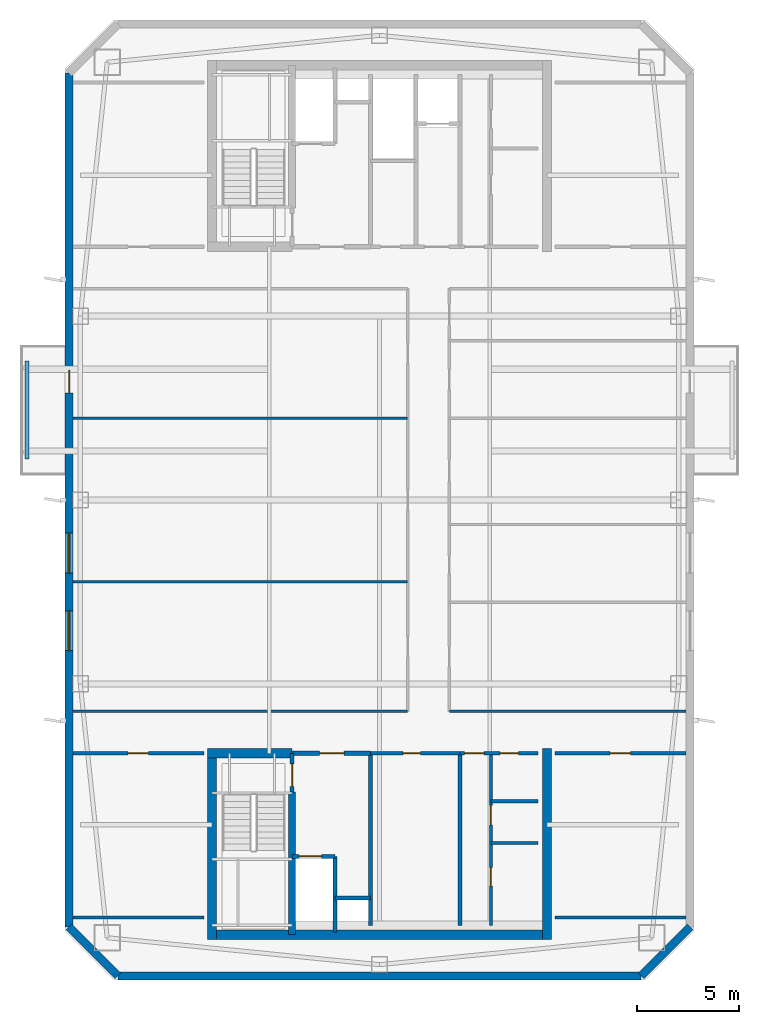
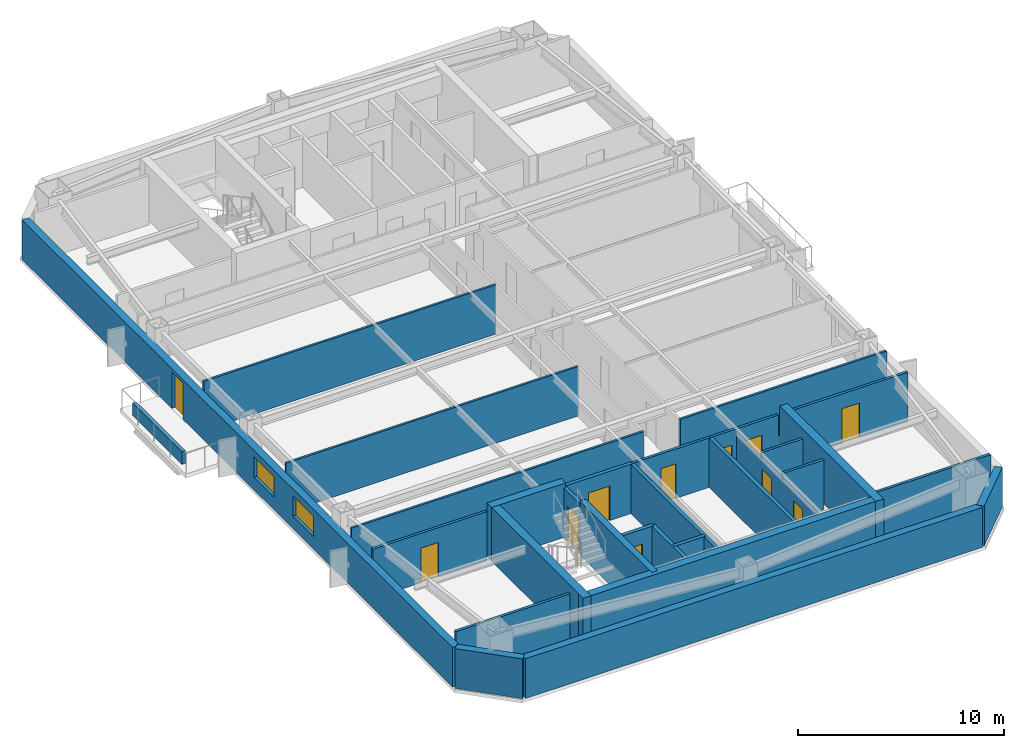
# One storey, part 2 of 7: 30 walls, 11 doors, 2 windows, 13 openings.
"""IFC4 building model written with IfcOpenShell, lengths in metres."""

from ifc_helpers import new_model, si_unit, direction, frame, frame_2d, origin, place, context, subcontext, project, spatial, rectangle, extrude, material, layer, layer_set, type_object, element, fill, save


model = new_model("IFC4")

# Units and contexts
model_context = context("Model", 3, precision=1e-05, world=origin(), true_north=direction((0.0, 1.0)))
body_context = subcontext(model_context, "Body", "Model", "MODEL_VIEW")
ifc_project = project(units=[si_unit("LENGTHUNIT", "METRE"), si_unit("AREAUNIT", "SQUARE_METRE"), si_unit("VOLUMEUNIT", "CUBIC_METRE"), si_unit("PLANEANGLEUNIT", "RADIAN"), si_unit("MASSUNIT", "GRAM", prefix="KILO")], contexts=[model_context])

# Site, building, storey
site_placement = place(None, origin())
site = spatial("IfcSite", under=ifc_project, at=site_placement, CompositionType="ELEMENT")
building_placement = place(site_placement, origin())
building = spatial("IfcBuilding", under=site, at=building_placement, Name="Qiaolan Cultural Towers", CompositionType="ELEMENT")
storey_placement = place(building_placement, frame((0.0, 0.0, 266.39990234375)))
storey = spatial("IfcBuildingStorey", under=building, at=storey_placement, Name="L73", CompositionType="ELEMENT", Elevation=266.39990234375)

# Walls
ifc_material_1 = material(Name="Concrete C50", Category="concrete")
ifc_layer_1 = layer(ifc_material_1, 0.35009765625)
ifc_layer_set_1 = layer_set([ifc_layer_1], Name="Concrete C50")
wall_type_1 = type_object("IfcWallType", Name="WL-CORE-350", PredefinedType="SHEAR", material=ifc_layer_set_1)
wall_1_placement = place(storey_placement, frame((25.719970703125, 19.699951171875, 0.0), z_axis=(0.0, 0.0, 1.0), x_axis=(0.0, -1.0, 0.0)))
element("IfcWall", 1, at=wall_1_placement, inside=storey, type_object=wall_type_1, Name="L73 T1-CS Stair Core Dividing Web", PredefinedType="SHEAR", context=body_context, shape_type="SweptSolid", body=[
    extrude(rectangle(XDim=6.97998046875, YDim=0.35009765625, at=frame_2d((3.489990234375, 0.0))), origin(), (0.0, 0.0, 1.0), 3.2001953125),
])
ifc_material_2 = material(Name="Concrete C50", Category="concrete")
ifc_layer_2 = layer(ifc_material_2, 0.449951171875)
ifc_layer_set_2 = layer_set([ifc_layer_2], Name="Concrete C50")
wall_type_2 = type_object("IfcWallType", Name="WL-CORE-450", PredefinedType="SHEAR", material=ifc_layer_set_2)
wall_2_placement = place(storey_placement, frame((21.574951171875, 12.719970703125, 0.0), z_axis=(0.0, 0.0, 1.0), x_axis=(1.0, 0.0, 0.0)))
element("IfcWall", 2, at=wall_2_placement, inside=storey, type_object=wall_type_2, Name="L73 T1-CS Outer Core Shear Wall", PredefinedType="SHEAR", context=body_context, shape_type="SweptSolid", body=[
    extrude(rectangle(XDim=16.85009765625, YDim=0.449951171875, at=frame_2d((8.425048828125, 0.0))), origin(), (0.0, 0.0, 1.0), 3.2001953125),
])
for number, where, z_axis, x_axis, name in (
    (3, (21.800048828125, 21.824951171875, 0.0), (0.0, 0.0, 1.0), (0.0, -1.0, 0.0), "L73 T1-CS West Core Shear Wall"),
    (4, (38.199951171875, 21.824951171875, 0.0), (0.0, 0.0, 1.0), (0.0, -1.0, 0.0), "L73 T1-CS East Core Shear Wall"),
):
    element("IfcWall", number, at=place(storey_placement, frame(where, z_axis=z_axis, x_axis=x_axis)), inside=storey, type_object=wall_type_2, Name=name, PredefinedType="SHEAR", context=body_context, shape_type="SweptSolid", body=[
        extrude(rectangle(XDim=9.329833984375, YDim=0.449951171875, at=frame_2d((4.6650390625, 0.0))), origin(), (0.0, 0.0, 1.0), 3.2001953125),
    ])
wall_3_placement = place(storey_placement, frame((21.574951171875, 21.60009765625, 0.0), z_axis=(0.0, 0.0, 1.0), x_axis=(1.0, 0.0, 0.0)))
element("IfcWall", 5, at=wall_3_placement, inside=storey, type_object=wall_type_2, Name="L73 T1-CS Stair Front Shear Wall", PredefinedType="SHEAR", context=body_context, shape_type="SweptSolid", body=[
    extrude(rectangle(XDim=4.14501953125, YDim=0.449951171875, at=frame_2d((2.072509765625, 0.0))), origin(), (0.0, 0.0, 1.0), 3.2001953125),
])

# Wall, openings, door, windows
ifc_material_3 = material(Name="Precast Concrete C50 Honed Stone Pier", Category="masonry")
ifc_layer_3 = layer(ifc_material_3, 0.39990234375)
ifc_layer_set_3 = layer_set([ifc_layer_3], Name="Precast Concrete C50 Honed Stone Pier")
wall_type_3 = type_object("IfcWallType", Name="WL-EXT-PIER-400", PredefinedType="SOLIDWALL", material=ifc_layer_set_3)
wall_4_placement = place(storey_placement, frame((14.800048828125, 13.10009765625, 0.0), z_axis=(0.0, 0.0, 1.0), x_axis=(0.0, 1.0, 0.0)))
wall_4 = element("IfcWall", 6, at=wall_4_placement, inside=storey, type_object=wall_type_3, Name="L73 West Tower Precast Pier Facade Wall F1", PredefinedType="SOLIDWALL", context=body_context, shape_type="SweptSolid", body=[
    extrude(rectangle(XDim=41.7998046875, YDim=0.39990234375, at=frame_2d((20.89990234375, 0.0))), origin(), (0.0, 0.0, 1.0), 2.360107421875),
])
opening_1_placement = place(wall_4_placement, frame((13.52490234375, 0.0, 0.75)))
opening_1 = element("IfcOpeningElement", 7, at=opening_1_placement, cuts=wall_4, Name="Opening W-06", PredefinedType="OPENING", context=body_context, shape_type="SweptSolid", body=[
    extrude(rectangle(XDim=1.949951171875, YDim=1.2099609375, at=frame_2d((0.97509765625, 0.60498046875))), frame((0.0, 0.2099609375, 0.0), z_axis=(0.0, -1.0, 0.0), x_axis=(1.0, 0.0, 0.0)), (0.0, 0.0, 1.0), 0.419921875),
])
opening_2_placement = place(wall_4_placement, frame((17.324951171875, 0.0, 0.75)))
opening_2 = element("IfcOpeningElement", 8, at=opening_2_placement, cuts=wall_4, Name="Opening W-06", PredefinedType="OPENING", context=body_context, shape_type="SweptSolid", body=[
    extrude(rectangle(XDim=1.949951171875, YDim=1.2099609375, at=frame_2d((0.97509765625, 0.60498046875))), frame((0.0, 0.2099609375, 0.0), z_axis=(0.0, -1.0, 0.0), x_axis=(1.0, 0.0, 0.0)), (0.0, 0.0, 1.0), 0.419921875),
])
opening_3_placement = place(wall_4_placement, frame((26.14990234375, 0.0, 0.0)))
opening_3 = element("IfcOpeningElement", 9, at=opening_3_placement, cuts=wall_4, Name="Opening BD-01", PredefinedType="OPENING", context=body_context, shape_type="SweptSolid", body=[
    extrude(rectangle(XDim=1.10009765625, YDim=2.14990234375, at=frame_2d((0.550048828125, 1.074951171875))), frame((0.0, 0.2099609375, 0.0), z_axis=(0.0, -1.0, 0.0), x_axis=(1.0, 0.0, 0.0)), (0.0, 0.0, 1.0), 0.419921875),
])
ifc_material_4 = material(Name="Thermally Broken Aluminium Glazed Terrace Door", Category="aluminium")
door_type_1 = type_object("IfcDoorType", Name="DR-BAL-1100", OperationType="NOTDEFINED", PredefinedType="DOOR", material=ifc_material_4)
door_1_placement = place(opening_3_placement, origin())
door_1 = element("IfcDoor", 10, at=door_1_placement, inside=storey, type_object=door_type_1, Name="L73 T1 West Tree Balcony Door", OperationType="SINGLE_SWING_LEFT", OverallHeight=2.14990234375, OverallWidth=1.10009765625, PredefinedType="DOOR", context=body_context, shape_type="SweptSolid", body=[
    extrude(rectangle(XDim=1.10009765625, YDim=2.14990234375, at=frame_2d((0.550048828125, 1.074951171875))), frame((0.0, 0.02490234375, 0.0), z_axis=(0.0, -1.0, 0.0), x_axis=(1.0, 0.0, 0.0)), (0.0, 0.0, 1.0), 0.050048828125),
])
fill(opening_3, door_1)
ifc_material_5 = material(Name="Thermally Broken Aluminium Triple Low-E Glazing", Category="aluminium")
window_type = type_object("IfcWindowType", Name="WN-CHIC-1950", PartitioningType="SINGLE_PANEL", PredefinedType="WINDOW", material=ifc_material_5)
window_1_placement = place(opening_1_placement, origin())
window_1 = element("IfcWindow", 11, at=window_1_placement, inside=storey, type_object=window_type, Name="L73 T1 W Chicago Bay Window 1", OverallHeight=1.2099609375, OverallWidth=1.949951171875, PartitioningType="TRIPLE_PANEL_VERTICAL", PredefinedType="WINDOW", context=body_context, shape_type="SweptSolid", body=[
    extrude(rectangle(XDim=1.949951171875, YDim=1.2099609375, at=frame_2d((0.97509765625, 0.60498046875))), frame((0.0, 0.030029296875, 0.0), z_axis=(0.0, -1.0, 0.0), x_axis=(1.0, 0.0, 0.0)), (0.0, 0.0, 1.0), 0.06005859375),
])
fill(opening_1, window_1)
window_2_placement = place(opening_2_placement, origin())
window_2 = element("IfcWindow", 12, at=window_2_placement, inside=storey, type_object=window_type, Name="L73 T1 W Chicago Bay Window 2", OverallHeight=1.2099609375, OverallWidth=1.949951171875, PartitioningType="TRIPLE_PANEL_VERTICAL", PredefinedType="WINDOW", context=body_context, shape_type="SweptSolid", body=[
    extrude(rectangle(XDim=1.949951171875, YDim=1.2099609375, at=frame_2d((0.97509765625, 0.60498046875))), frame((0.0, 0.030029296875, 0.0), z_axis=(0.0, -1.0, 0.0), x_axis=(1.0, 0.0, 0.0)), (0.0, 0.0, 1.0), 0.06005859375),
])
fill(opening_2, window_2)

# Walls
wall_5_placement = place(storey_placement, frame((45.199951171875, 13.10009765625, 0.0), z_axis=(0.0, 0.0, 1.0), x_axis=(-0.707070815327, -0.707142745217, 0.0)))
element("IfcWall", 13, at=wall_5_placement, inside=storey, type_object=wall_type_3, Name="L73 West Tower Precast Pier Facade Wall F6", PredefinedType="SOLIDWALL", context=body_context, shape_type="SweptSolid", body=[
    extrude(rectangle(XDim=3.39404296875, YDim=0.39990234375, at=frame_2d((1.697021484375, 0.0))), origin(), (0.0, 0.0, 1.0), 2.360107421875),
])
wall_6_placement = place(storey_placement, frame((42.800048828125, 10.699951171875, 0.0), z_axis=(0.0, 0.0, 1.0), x_axis=(-1.0, 0.0, 0.0)))
element("IfcWall", 14, at=wall_6_placement, inside=storey, type_object=wall_type_3, Name="L73 West Tower Precast Pier Facade Wall F7", PredefinedType="SOLIDWALL", context=body_context, shape_type="SweptSolid", body=[
    extrude(rectangle(XDim=25.60009765625, YDim=0.39990234375, at=frame_2d((12.800048828125, 0.0))), origin(), (0.0, 0.0, 1.0), 2.360107421875),
])
wall_7_placement = place(storey_placement, frame((17.199951171875, 10.699951171875, 0.0), z_axis=(0.0, 0.0, 1.0), x_axis=(-0.707070815327, 0.707142745217, 0.0)))
element("IfcWall", 15, at=wall_7_placement, inside=storey, type_object=wall_type_3, Name="L73 West Tower Precast Pier Facade Wall F8", PredefinedType="SOLIDWALL", context=body_context, shape_type="SweptSolid", body=[
    extrude(rectangle(XDim=3.39404296875, YDim=0.39990234375, at=frame_2d((1.697021484375, 0.0))), origin(), (0.0, 0.0, 1.0), 2.360107421875),
])

# Wall, opening, door
ifc_material_6 = material(Name="Concrete C35 Fire Wall", Category="concrete")
ifc_layer_4 = layer(ifc_material_6, 0.199951171875)
ifc_layer_set_4 = layer_set([ifc_layer_4], Name="Concrete C35 Fire Wall")
wall_type_4 = type_object("IfcWallType", Name="WL-FIRE-200", PredefinedType="PARTITIONING", material=ifc_layer_set_4)
wall_8_placement = place(storey_placement, frame((25.719970703125, 21.60009765625, 0.0), z_axis=(0.0, 0.0, 1.0), x_axis=(0.0, -1.0, 0.0)))
wall_8 = element("IfcWall", 16, at=wall_8_placement, inside=storey, type_object=wall_type_4, Name="L73 T1-CS Smokeproof Stair Entry Wall", PredefinedType="PARTITIONING", context=body_context, shape_type="SweptSolid", body=[
    extrude(rectangle(XDim=1.900146484375, YDim=0.199951171875, at=frame_2d((0.9501953125, 0.0))), origin(), (0.0, 0.0, 1.0), 2.925048828125),
])
opening_4_placement = place(wall_8_placement, frame((0.52001953125, 0.0, 0.0)))
opening_4 = element("IfcOpeningElement", 17, at=opening_4_placement, cuts=wall_8, Name="Opening FD-04", PredefinedType="OPENING", context=body_context, shape_type="SweptSolid", body=[
    extrude(rectangle(XDim=1.10009765625, YDim=2.050048828125, at=frame_2d((0.550048828125, 1.02490234375))), frame((0.0, 0.10986328125, 0.0), z_axis=(0.0, -1.0, 0.0), x_axis=(1.0, 0.0, 0.0)), (0.0, 0.0, 1.0), 0.219970703125),
])
ifc_material_7 = material(Name="Galvanized Steel Command Fire Door", Category="steel")
door_type_2 = type_object("IfcDoorType", Name="DR-FD90-1100", OperationType="NOTDEFINED", PredefinedType="DOOR", material=ifc_material_7)
door_2_placement = place(opening_4_placement, origin())
door_2 = element("IfcDoor", 18, at=door_2_placement, inside=storey, type_object=door_type_2, Name="L73 ST-W1 Smokeproof Stair Fire Door", OperationType="SINGLE_SWING_LEFT", OverallHeight=2.050048828125, OverallWidth=1.10009765625, PredefinedType="DOOR", context=body_context, shape_type="SweptSolid", body=[
    extrude(rectangle(XDim=1.10009765625, YDim=2.050048828125, at=frame_2d((0.550048828125, 1.02490234375))), frame((0.0, 0.02490234375, 0.0), z_axis=(0.0, -1.0, 0.0), x_axis=(1.0, 0.0, 0.0)), (0.0, 0.0, 1.0), 0.050048828125),
])
fill(opening_4, door_2)

# Wall
wall_9_placement = place(storey_placement, frame((29.550048828125, 21.60009765625, 0.0), z_axis=(0.0, 0.0, 1.0), x_axis=(0.0, -1.0, 0.0)))
element("IfcWall", 19, at=wall_9_placement, inside=storey, type_object=wall_type_4, Name="L73 T1-CS Firefighting Zone Wall", PredefinedType="PARTITIONING", context=body_context, shape_type="SweptSolid", body=[
    extrude(rectangle(XDim=8.43017578125, YDim=0.199951171875, at=frame_2d((4.215087890625, 0.0))), origin(), (0.0, 0.0, 1.0), 2.925048828125),
])

# Wall, opening, door
wall_10_placement = place(storey_placement, frame((25.719970703125, 21.60009765625, 0.0), z_axis=(0.0, 0.0, 1.0), x_axis=(1.0, 0.0, 0.0)))
wall_10 = element("IfcWall", 20, at=wall_10_placement, inside=storey, type_object=wall_type_4, Name="L73 T1-CS Firefighting Lobby Front Wall", PredefinedType="PARTITIONING", context=body_context, shape_type="SweptSolid", body=[
    extrude(rectangle(XDim=3.830078125, YDim=0.199951171875, at=frame_2d((1.9150390625, 0.0))), origin(), (0.0, 0.0, 1.0), 2.925048828125),
])
opening_5_placement = place(wall_10_placement, frame((1.35009765625, 0.0, 0.0)))
opening_5 = element("IfcOpeningElement", 21, at=opening_5_placement, cuts=wall_10, Name="Opening FD-03", PredefinedType="OPENING", context=body_context, shape_type="SweptSolid", body=[
    extrude(rectangle(XDim=1.199951171875, YDim=2.050048828125, at=frame_2d((0.60009765625, 1.02490234375))), frame((0.0, 0.10986328125, 0.0), z_axis=(0.0, -1.0, 0.0), x_axis=(1.0, 0.0, 0.0)), (0.0, 0.0, 1.0), 0.219970703125),
])
ifc_material_8 = material(Name="Galvanized Steel Smokeproof Lobby Fire Door", Category="steel")
door_type_3 = type_object("IfcDoorType", Name="DR-FD90-1200", OperationType="NOTDEFINED", PredefinedType="DOOR", material=ifc_material_8)
door_3_placement = place(opening_5_placement, origin())
door_3 = element("IfcDoor", 22, at=door_3_placement, inside=storey, type_object=door_type_3, Name="L73 FFL-W1 Firefighting Lobby Fire Door", OperationType="SINGLE_SWING_LEFT", OverallHeight=2.050048828125, OverallWidth=1.199951171875, PredefinedType="DOOR", context=body_context, shape_type="SweptSolid", body=[
    extrude(rectangle(XDim=1.199951171875, YDim=2.050048828125, at=frame_2d((0.60009765625, 1.02490234375))), frame((0.0, 0.02490234375, 0.0), z_axis=(0.0, -1.0, 0.0), x_axis=(1.0, 0.0, 0.0)), (0.0, 0.0, 1.0), 0.050048828125),
])
fill(opening_5, door_3)

wall_11_placement = place(storey_placement, frame((25.719970703125, 16.550048828125, 0.0), z_axis=(0.0, 0.0, 1.0), x_axis=(1.0, 0.0, 0.0)))
wall_11 = element("IfcWall", 23, at=wall_11_placement, inside=storey, type_object=wall_type_4, Name="L73 T1-CS Firefighting Shaft Front Wall", PredefinedType="PARTITIONING", context=body_context, shape_type="SweptSolid", body=[
    extrude(rectangle(XDim=2.10009765625, YDim=0.199951171875, at=frame_2d((1.050048828125, 0.0))), origin(), (0.0, 0.0, 1.0), 2.925048828125),
])
opening_6_placement = place(wall_11_placement, frame((0.35009765625, 0.0, 0.0)))
opening_6 = element("IfcOpeningElement", 24, at=opening_6_placement, cuts=wall_11, Name="Opening LD-01", PredefinedType="OPENING", context=body_context, shape_type="SweptSolid", body=[
    extrude(rectangle(XDim=1.10009765625, YDim=2.050048828125, at=frame_2d((0.550048828125, 1.02490234375))), frame((0.0, 0.10986328125, 0.0), z_axis=(0.0, -1.0, 0.0), x_axis=(1.0, 0.0, 0.0)), (0.0, 0.0, 1.0), 0.219970703125),
])
ifc_material_9 = material(Name="Brushed Stainless Steel S30408 Centre-Parting Lift Landing Door", Category="steel")
door_type_4 = type_object("IfcDoorType", Name="DR-LIFT-1100", OperationType="NOTDEFINED", PredefinedType="DOOR", material=ifc_material_9)
door_4_placement = place(opening_6_placement, origin())
door_4 = element("IfcDoor", 25, at=door_4_placement, inside=storey, type_object=door_type_4, Name="L73 FFL-W1 Firefighting Lift Landing Door", OperationType="DOUBLE_DOOR_SLIDING", OverallHeight=2.050048828125, OverallWidth=1.10009765625, PredefinedType="DOOR", context=body_context, shape_type="SweptSolid", body=[
    extrude(rectangle(XDim=1.10009765625, YDim=2.050048828125, at=frame_2d((0.550048828125, 1.02490234375))), frame((0.0, 0.02490234375, 0.0), z_axis=(0.0, -1.0, 0.0), x_axis=(1.0, 0.0, 0.0)), (0.0, 0.0, 1.0), 0.050048828125),
])
fill(opening_6, door_4)

# Walls
wall_12_placement = place(storey_placement, frame((27.820068359375, 16.550048828125, 0.0), z_axis=(0.0, 0.0, 1.0), x_axis=(0.0, -1.0, 0.0)))
element("IfcWall", 26, at=wall_12_placement, inside=storey, type_object=wall_type_4, Name="L73 T1-CS Firefighting Hoistway East Wall", PredefinedType="PARTITIONING", context=body_context, shape_type="SweptSolid", body=[
    extrude(rectangle(XDim=3.699951171875, YDim=0.199951171875, at=frame_2d((1.85009765625, 0.0))), origin(), (0.0, 0.0, 1.0), 2.925048828125),
])
wall_13_placement = place(storey_placement, frame((27.820068359375, 14.52001953125, 0.0), z_axis=(0.0, 0.0, 1.0), x_axis=(1.0, 0.0, 0.0)))
element("IfcWall", 27, at=wall_13_placement, inside=storey, type_object=wall_type_4, Name="L73 T1-CS Pressurization Shaft Front Wall", PredefinedType="PARTITIONING", context=body_context, shape_type="SweptSolid", body=[
    extrude(rectangle(XDim=1.72998046875, YDim=0.199951171875, at=frame_2d((0.864990234375, 0.0))), origin(), (0.0, 0.0, 1.0), 2.925048828125),
])
wall_14_placement = place(storey_placement, frame((33.949951171875, 21.60009765625, 0.0), z_axis=(0.0, 0.0, 1.0), x_axis=(0.0, -1.0, 0.0)))
element("IfcWall", 28, at=wall_14_placement, inside=storey, type_object=wall_type_4, Name="L73 T1-CS Lift Core East Wall", PredefinedType="PARTITIONING", context=body_context, shape_type="SweptSolid", body=[
    extrude(rectangle(XDim=8.43017578125, YDim=0.199951171875, at=frame_2d((4.215087890625, 0.0))), origin(), (0.0, 0.0, 1.0), 2.925048828125),
])
ifc_material_10 = material(Name="Gypsum Stud Acoustic Partition", Category="gypsum")
ifc_layer_5 = layer(ifc_material_10, 0.1201171875)
ifc_layer_set_5 = layer_set([ifc_layer_5], Name="Gypsum Stud Acoustic Partition")
wall_type_5 = type_object("IfcWallType", Name="WL-PART-120", PredefinedType="PARTITIONING", material=ifc_layer_set_5)
wall_15_placement = place(storey_placement, frame((15.0, 23.64990234375, 0.0), z_axis=(0.0, 0.0, 1.0), x_axis=(1.0, 0.0, 0.0)))
element("IfcWall", 29, at=wall_15_placement, inside=storey, type_object=wall_type_5, Name="L73 T1 South Corridor Left Wall", PredefinedType="PARTITIONING", context=body_context, shape_type="SweptSolid", body=[
    extrude(rectangle(XDim=16.375, YDim=0.1201171875, at=frame_2d((8.1875, 0.0))), origin(), (0.0, 0.0, 1.0), 2.925048828125),
])
wall_16_placement = place(storey_placement, frame((33.425048828125, 23.64990234375, 0.0), z_axis=(0.0, 0.0, 1.0), x_axis=(1.0, 0.0, 0.0)))
element("IfcWall", 30, at=wall_16_placement, inside=storey, type_object=wall_type_5, Name="L73 T1 South Corridor Right Wall", PredefinedType="PARTITIONING", context=body_context, shape_type="SweptSolid", body=[
    extrude(rectangle(XDim=11.574951171875, YDim=0.1201171875, at=frame_2d((5.78759765625, 0.0))), origin(), (0.0, 0.0, 1.0), 2.925048828125),
])
for number, where, z_axis, x_axis, name in (
    (31, (15.0, 30.0, 0.0), (0.0, 0.0, 1.0), (1.0, 0.0, 0.0), "L73 T1 West Partition 1"),
    (32, (15.0, 38.0, 0.0), (0.0, 0.0, 1.0), (1.0, 0.0, 0.0), "L73 T1 West Partition 2"),
):
    element("IfcWall", number, at=place(storey_placement, frame(where, z_axis=z_axis, x_axis=x_axis)), inside=storey, type_object=wall_type_5, Name=name, PredefinedType="PARTITIONING", context=body_context, shape_type="SweptSolid", body=[
        extrude(rectangle(XDim=16.375, YDim=0.1201171875, at=frame_2d((8.1875, 0.0))), origin(), (0.0, 0.0, 1.0), 2.925048828125),
    ])

# Wall, opening, door
ifc_material_11 = material(Name="Autoclaved Aerated Concrete Block B06", Category="concrete")
ifc_layer_6 = layer(ifc_material_11, 0.14990234375)
ifc_layer_set_6 = layer_set([ifc_layer_6], Name="Autoclaved Aerated Concrete Block B06")
wall_type_6 = type_object("IfcWallType", Name="WL-PART-150", PredefinedType="PARTITIONING", material=ifc_layer_set_6)
wall_17_placement = place(storey_placement, frame((29.550048828125, 21.60009765625, 0.0), z_axis=(0.0, 0.0, 1.0), x_axis=(1.0, 0.0, 0.0)))
wall_17 = element("IfcWall", 33, at=wall_17_placement, inside=storey, type_object=wall_type_6, Name="L73 T1-CS Reclaimed Core Room Front Wall", PredefinedType="PARTITIONING", context=body_context, shape_type="SweptSolid", body=[
    extrude(rectangle(XDim=4.39990234375, YDim=0.14990234375, at=frame_2d((2.199951171875, 0.0))), origin(), (0.0, 0.0, 1.0), 2.925048828125),
])
opening_7_placement = place(wall_17_placement, frame((1.60009765625, 0.0, 0.0)))
opening_7 = element("IfcOpeningElement", 34, at=opening_7_placement, cuts=wall_17, Name="Opening ID-09", PredefinedType="OPENING", context=body_context, shape_type="SweptSolid", body=[
    extrude(rectangle(XDim=0.85009765625, YDim=2.050048828125, at=frame_2d((0.425048828125, 1.02490234375))), frame((0.0, 0.0849609375, 0.0), z_axis=(0.0, -1.0, 0.0), x_axis=(1.0, 0.0, 0.0)), (0.0, 0.0, 1.0), 0.169921875),
])
ifc_material_12 = material(Name="Moisture-Resistant Laminate Utility Door", Category="timber")
door_type_5 = type_object("IfcDoorType", Name="DR-INT-850", OperationType="NOTDEFINED", PredefinedType="DOOR", material=ifc_material_12)
door_5_placement = place(opening_7_placement, origin())
door_5 = element("IfcDoor", 35, at=door_5_placement, inside=storey, type_object=door_type_5, Name="L73 Reclaimed Archive Room Door", OperationType="SINGLE_SWING_LEFT", OverallHeight=2.050048828125, OverallWidth=0.85009765625, PredefinedType="DOOR", context=body_context, shape_type="SweptSolid", body=[
    extrude(rectangle(XDim=0.85009765625, YDim=2.050048828125, at=frame_2d((0.425048828125, 1.02490234375))), frame((0.0, 0.02490234375, 0.0), z_axis=(0.0, -1.0, 0.0), x_axis=(1.0, 0.0, 0.0)), (0.0, 0.0, 1.0), 0.050048828125),
])
fill(opening_7, door_5)

# Wall, openings, doors
wall_18_placement = place(storey_placement, frame((33.949951171875, 21.60009765625, 0.0), z_axis=(0.0, 0.0, 1.0), x_axis=(1.0, 0.0, 0.0)))
wall_18 = element("IfcWall", 36, at=wall_18_placement, inside=storey, type_object=wall_type_6, Name="L73 T1-CS Sanitary Core Front Wall", PredefinedType="PARTITIONING", context=body_context, shape_type="SweptSolid", body=[
    extrude(rectangle(XDim=3.800048828125, YDim=0.14990234375, at=frame_2d((1.89990234375, 0.0))), origin(), (0.0, 0.0, 1.0), 2.925048828125),
])
opening_8_placement = place(wall_18_placement, frame((0.219970703125, 0.0, 0.0)))
opening_8 = element("IfcOpeningElement", 37, at=opening_8_placement, cuts=wall_18, Name="Opening ID-05", PredefinedType="OPENING", context=body_context, shape_type="SweptSolid", body=[
    extrude(rectangle(XDim=0.949951171875, YDim=2.050048828125, at=frame_2d((0.47509765625, 1.02490234375))), frame((0.0, 0.0849609375, 0.0), z_axis=(0.0, -1.0, 0.0), x_axis=(1.0, 0.0, 0.0)), (0.0, 0.0, 1.0), 0.169921875),
])
opening_9_placement = place(wall_18_placement, frame((1.949951171875, 0.0, 0.0)))
opening_9 = element("IfcOpeningElement", 38, at=opening_9_placement, cuts=wall_18, Name="Opening ID-06", PredefinedType="OPENING", context=body_context, shape_type="SweptSolid", body=[
    extrude(rectangle(XDim=0.89990234375, YDim=2.050048828125, at=frame_2d((0.449951171875, 1.02490234375))), frame((0.0, 0.0849609375, 0.0), z_axis=(0.0, -1.0, 0.0), x_axis=(1.0, 0.0, 0.0)), (0.0, 0.0, 1.0), 0.169921875),
])
ifc_material_13 = material(Name="Fire-Rated Laminate Core Service Door", Category="timber")
door_type_6 = type_object("IfcDoorType", Name="DR-INT-900", OperationType="NOTDEFINED", PredefinedType="DOOR", material=ifc_material_13)
door_6_placement = place(opening_9_placement, origin())
door_6 = element("IfcDoor", 39, at=door_6_placement, inside=storey, type_object=door_type_6, Name="L73 Core Tea Pantry Door", OperationType="SINGLE_SWING_RIGHT", OverallHeight=2.050048828125, OverallWidth=0.89990234375, PredefinedType="DOOR", context=body_context, shape_type="SweptSolid", body=[
    extrude(rectangle(XDim=0.89990234375, YDim=2.050048828125, at=frame_2d((0.449951171875, 1.02490234375))), frame((0.0, 0.02490234375, 0.0), z_axis=(0.0, -1.0, 0.0), x_axis=(1.0, 0.0, 0.0)), (0.0, 0.0, 1.0), 0.050048828125),
])
fill(opening_9, door_6)
ifc_material_14 = material(Name="Fire-Rated Laminate Accessible Core Door", Category="timber")
door_type_7 = type_object("IfcDoorType", Name="DR-INT-950", OperationType="NOTDEFINED", PredefinedType="DOOR", material=ifc_material_14)
door_7_placement = place(opening_8_placement, origin())
door_7 = element("IfcDoor", 40, at=door_7_placement, inside=storey, type_object=door_type_7, Name="L73 Sanitary Passage Door", OperationType="SINGLE_SWING_LEFT", OverallHeight=2.050048828125, OverallWidth=0.949951171875, PredefinedType="DOOR", context=body_context, shape_type="SweptSolid", body=[
    extrude(rectangle(XDim=0.949951171875, YDim=2.050048828125, at=frame_2d((0.47509765625, 1.02490234375))), frame((0.0, 0.02490234375, 0.0), z_axis=(0.0, -1.0, 0.0), x_axis=(1.0, 0.0, 0.0)), (0.0, 0.0, 1.0), 0.050048828125),
])
fill(opening_8, door_7)

wall_19_placement = place(storey_placement, frame((35.449951171875, 21.60009765625, 0.0), z_axis=(0.0, 0.0, 1.0), x_axis=(0.0, -1.0, 0.0)))
wall_19 = element("IfcWall", 41, at=wall_19_placement, inside=storey, type_object=wall_type_6, Name="L73 T1-CS Sanitary Corridor Wall", PredefinedType="PARTITIONING", context=body_context, shape_type="SweptSolid", body=[
    extrude(rectangle(XDim=8.43017578125, YDim=0.14990234375, at=frame_2d((4.215087890625, 0.0))), origin(), (0.0, 0.0, 1.0), 2.565185546875),
])
opening_10_placement = place(wall_19_placement, frame((2.550048828125, 0.0, 0.0)))
opening_10 = element("IfcOpeningElement", 42, at=opening_10_placement, cuts=wall_19, Name="Opening ID-05", PredefinedType="OPENING", context=body_context, shape_type="SweptSolid", body=[
    extrude(rectangle(XDim=0.949951171875, YDim=2.050048828125, at=frame_2d((0.47509765625, 1.02490234375))), frame((0.0, 0.0849609375, 0.0), z_axis=(0.0, -1.0, 0.0), x_axis=(1.0, 0.0, 0.0)), (0.0, 0.0, 1.0), 0.169921875),
])
opening_11_placement = place(wall_19_placement, frame((5.60009765625, 0.0, 0.0)))
opening_11 = element("IfcOpeningElement", 43, at=opening_11_placement, cuts=wall_19, Name="Opening ID-06", PredefinedType="OPENING", context=body_context, shape_type="SweptSolid", body=[
    extrude(rectangle(XDim=0.89990234375, YDim=2.050048828125, at=frame_2d((0.449951171875, 1.02490234375))), frame((0.0, 0.0849609375, 0.0), z_axis=(0.0, -1.0, 0.0), x_axis=(1.0, 0.0, 0.0)), (0.0, 0.0, 1.0), 0.169921875),
])
door_8_placement = place(opening_11_placement, origin())
door_8 = element("IfcDoor", 44, at=door_8_placement, inside=storey, type_object=door_type_6, Name="L73 Staff Restroom Door", OperationType="SINGLE_SWING_RIGHT", OverallHeight=2.050048828125, OverallWidth=0.89990234375, PredefinedType="DOOR", context=body_context, shape_type="SweptSolid", body=[
    extrude(rectangle(XDim=0.89990234375, YDim=2.050048828125, at=frame_2d((0.449951171875, 1.02490234375))), frame((0.0, 0.02490234375, 0.0), z_axis=(0.0, -1.0, 0.0), x_axis=(1.0, 0.0, 0.0)), (0.0, 0.0, 1.0), 0.050048828125),
])
fill(opening_11, door_8)
door_9_placement = place(opening_10_placement, origin())
door_9 = element("IfcDoor", 45, at=door_9_placement, inside=storey, type_object=door_type_7, Name="L73 Accessible Washroom Door", OperationType="SINGLE_SWING_LEFT", OverallHeight=2.050048828125, OverallWidth=0.949951171875, PredefinedType="DOOR", context=body_context, shape_type="SweptSolid", body=[
    extrude(rectangle(XDim=0.949951171875, YDim=2.050048828125, at=frame_2d((0.47509765625, 1.02490234375))), frame((0.0, 0.02490234375, 0.0), z_axis=(0.0, -1.0, 0.0), x_axis=(1.0, 0.0, 0.0)), (0.0, 0.0, 1.0), 0.050048828125),
])
fill(opening_10, door_9)

# Walls
for number, where, z_axis, x_axis, name in (
    (46, (35.449951171875, 17.199951171875, 0.0), (0.0, 0.0, 1.0), (1.0, 0.0, 0.0), "L73 T1-CS Restroom Split Wall"),
    (47, (35.449951171875, 19.25, 0.0), (0.0, 0.0, 1.0), (1.0, 0.0, 0.0), "L73 T1-CS Core Pantry Wall"),
):
    element("IfcWall", number, at=place(storey_placement, frame(where, z_axis=z_axis, x_axis=x_axis)), inside=storey, type_object=wall_type_6, Name=name, PredefinedType="PARTITIONING", context=body_context, shape_type="SweptSolid", body=[
        extrude(rectangle(XDim=2.300048828125, YDim=0.14990234375, at=frame_2d((1.14990234375, 0.0))), origin(), (0.0, 0.0, 1.0), 2.925048828125),
    ])
wall_20_placement = place(storey_placement, frame((15.0, 13.550048828125, 0.0), z_axis=(0.0, 0.0, 1.0), x_axis=(1.0, 0.0, 0.0)))
element("IfcWall", 48, at=wall_20_placement, inside=storey, type_object=wall_type_6, Name="L73 T1 Flank Wall FLK-SW", PredefinedType="PARTITIONING", context=body_context, shape_type="SweptSolid", body=[
    extrude(rectangle(XDim=6.39990234375, YDim=0.14990234375, at=frame_2d((3.199951171875, 0.0))), origin(), (0.0, 0.0, 1.0), 2.925048828125),
])

# Wall, opening, door
wall_21_placement = place(storey_placement, frame((15.0, 21.60009765625, 0.0), z_axis=(0.0, 0.0, 1.0), x_axis=(1.0, 0.0, 0.0)))
wall_21 = element("IfcWall", 49, at=wall_21_placement, inside=storey, type_object=wall_type_6, Name="L73 T1 Flank Front FLK-SW", PredefinedType="PARTITIONING", context=body_context, shape_type="SweptSolid", body=[
    extrude(rectangle(XDim=6.39990234375, YDim=0.14990234375, at=frame_2d((3.199951171875, 0.0))), origin(), (0.0, 0.0, 1.0), 2.925048828125),
])
opening_12_placement = place(wall_21_placement, frame((2.68798828125, 0.0, 0.0)))
opening_12 = element("IfcOpeningElement", 50, at=opening_12_placement, cuts=wall_21, Name="Opening ID-04", PredefinedType="OPENING", context=body_context, shape_type="SweptSolid", body=[
    extrude(rectangle(XDim=1.0, YDim=2.050048828125, at=frame_2d((0.5, 1.02490234375))), frame((0.0, 0.0849609375, 0.0), z_axis=(0.0, -1.0, 0.0), x_axis=(1.0, 0.0, 0.0)), (0.0, 0.0, 1.0), 0.169921875),
])
ifc_material_15 = material(Name="Oak Veneer Acoustic Office Door", Category="timber")
door_type_8 = type_object("IfcDoorType", Name="DR-INT-1000", OperationType="NOTDEFINED", PredefinedType="DOOR", material=ifc_material_15)
door_10_placement = place(opening_12_placement, origin())
door_10 = element("IfcDoor", 51, at=door_10_placement, inside=storey, type_object=door_type_8, Name="L73 T1 Corner Studio Door", OperationType="SINGLE_SWING_LEFT", OverallHeight=2.050048828125, OverallWidth=1.0, PredefinedType="DOOR", context=body_context, shape_type="SweptSolid", body=[
    extrude(rectangle(XDim=1.0, YDim=2.050048828125, at=frame_2d((0.5, 1.02490234375))), frame((0.0, 0.02490234375, 0.0), z_axis=(0.0, -1.0, 0.0), x_axis=(1.0, 0.0, 0.0)), (0.0, 0.0, 1.0), 0.050048828125),
])
fill(opening_12, door_10)

# Wall
wall_22_placement = place(storey_placement, frame((38.60009765625, 13.550048828125, 0.0), z_axis=(0.0, 0.0, 1.0), x_axis=(1.0, 0.0, 0.0)))
element("IfcWall", 52, at=wall_22_placement, inside=storey, type_object=wall_type_6, Name="L73 T1 Flank Wall FLK-SE", PredefinedType="PARTITIONING", context=body_context, shape_type="SweptSolid", body=[
    extrude(rectangle(XDim=6.39990234375, YDim=0.14990234375, at=frame_2d((3.199951171875, 0.0))), origin(), (0.0, 0.0, 1.0), 2.925048828125),
])

# Wall, opening, door
wall_23_placement = place(storey_placement, frame((38.60009765625, 21.60009765625, 0.0), z_axis=(0.0, 0.0, 1.0), x_axis=(1.0, 0.0, 0.0)))
wall_23 = element("IfcWall", 53, at=wall_23_placement, inside=storey, type_object=wall_type_6, Name="L73 T1 Flank Front FLK-SE", PredefinedType="PARTITIONING", context=body_context, shape_type="SweptSolid", body=[
    extrude(rectangle(XDim=6.39990234375, YDim=0.14990234375, at=frame_2d((3.199951171875, 0.0))), origin(), (0.0, 0.0, 1.0), 2.925048828125),
])
opening_13_placement = place(wall_23_placement, frame((2.68798828125, 0.0, 0.0)))
opening_13 = element("IfcOpeningElement", 54, at=opening_13_placement, cuts=wall_23, Name="Opening ID-04", PredefinedType="OPENING", context=body_context, shape_type="SweptSolid", body=[
    extrude(rectangle(XDim=1.0, YDim=2.050048828125, at=frame_2d((0.5, 1.02490234375))), frame((0.0, 0.0849609375, 0.0), z_axis=(0.0, -1.0, 0.0), x_axis=(1.0, 0.0, 0.0)), (0.0, 0.0, 1.0), 0.169921875),
])
door_11_placement = place(opening_13_placement, origin())
door_11 = element("IfcDoor", 55, at=door_11_placement, inside=storey, type_object=door_type_8, Name="L73 T1 Corner Studio Door", OperationType="SINGLE_SWING_LEFT", OverallHeight=2.050048828125, OverallWidth=1.0, PredefinedType="DOOR", context=body_context, shape_type="SweptSolid", body=[
    extrude(rectangle(XDim=1.0, YDim=2.050048828125, at=frame_2d((0.5, 1.02490234375))), frame((0.0, 0.02490234375, 0.0), z_axis=(0.0, -1.0, 0.0), x_axis=(1.0, 0.0, 0.0)), (0.0, 0.0, 1.0), 0.050048828125),
])
fill(opening_13, door_11)

# Wall
ifc_material_16 = material(Name="Precast Concrete C45 Tree Planter Upstand", Category="concrete")
ifc_layer_7 = layer(ifc_material_16, 0.199951171875)
ifc_layer_set_7 = layer_set([ifc_layer_7], Name="Precast Concrete C45 Tree Planter Upstand")
wall_type_7 = type_object("IfcWallType", Name="WL-PLANTER-200", PredefinedType="PARAPET", material=ifc_layer_set_7)
wall_24_placement = place(storey_placement, frame((12.75, 36.0, 0.0), z_axis=(0.0, 0.0, 1.0), x_axis=(0.0, 1.0, 0.0)))
element("IfcWall", 56, at=wall_24_placement, inside=storey, type_object=wall_type_7, Name="L73 T1 Tree Balcony Soil Planter Box W", PredefinedType="PARAPET", context=body_context, shape_type="SweptSolid", body=[
    extrude(rectangle(XDim=4.800048828125, YDim=0.199951171875, at=frame_2d((2.39990234375, 0.0))), origin(), (0.0, 0.0, 1.0), 0.75),
])

save(model, "model.ifc")
